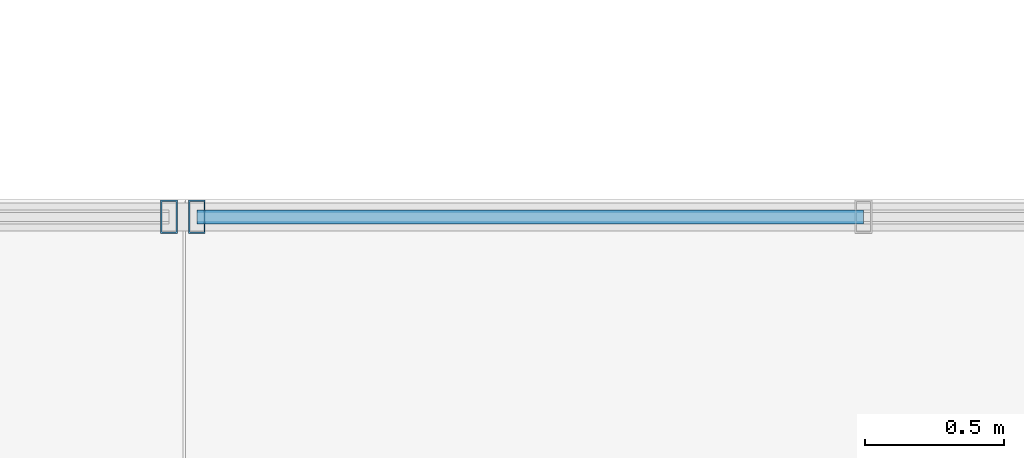
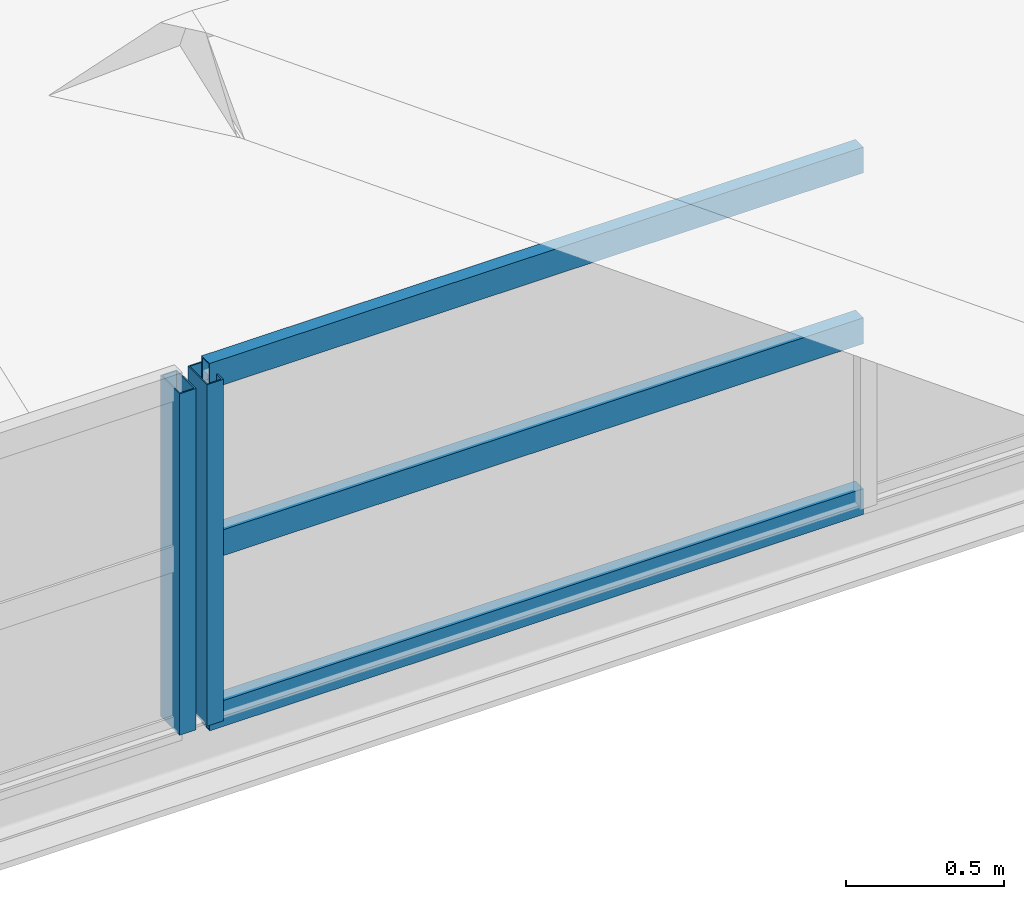
# One storey, part 86 of 141: 5 members, 2 elements without a shape of their own.
"""IFC4 building model written with IfcOpenShell, lengths in metres."""

from ifc_helpers import new_model, si_unit, direction, frame, origin, origin_2d, place, context, subcontext, project, spatial, hollow_rectangle, extrude, material, material_profile, profile_set, type_object, element, aggregate, save


model = new_model("IFC4")

# Units and contexts
model_context = context("Model", 3, precision=1e-05, world=origin(), true_north=direction((0.0, 1.0)))
body_context = subcontext(model_context, "Body", "Model", "MODEL_VIEW")
ifc_project = project(units=[si_unit("LENGTHUNIT", "METRE"), si_unit("AREAUNIT", "SQUARE_METRE"), si_unit("VOLUMEUNIT", "CUBIC_METRE"), si_unit("PLANEANGLEUNIT", "RADIAN"), si_unit("MASSUNIT", "GRAM", prefix="KILO")], contexts=[model_context])

# Site, building, storey
site_placement = place(None, origin())
site = spatial("IfcSite", under=ifc_project, at=site_placement, CompositionType="ELEMENT")
building_placement = place(site_placement, origin())
building = spatial("IfcBuilding", under=site, at=building_placement, Name="Sundkrona Museum", CompositionType="ELEMENT")
storey_placement = place(building_placement, frame((0.0, 0.0, 34.0)))
storey = spatial("IfcBuildingStorey", under=building, at=storey_placement, Name="RF", CompositionType="ELEMENT", Elevation=34.0)

# Curtain wall, member
ifc_material_1 = material(Name="Unitised Aluminium-Steel and Ceramic-Clad Curtain Walling", Category="steel")
curtain_wall_type = type_object("IfcCurtainWallType", Name="CW-SW-240x13", PredefinedType="NOTDEFINED", material=ifc_material_1)
curtain_wall_1_placement = place(storey_placement, origin())
curtain_wall_1 = element("IfcCurtainWall", 1, at=curtain_wall_1_placement, inside=storey, type_object=curtain_wall_type, Name="Sawtooth Bay 5 West North-Light Clerestory", PredefinedType="NOTDEFINED")
ifc_material_2 = material(Name="Aluminium EN AW-6060 T66", Category="aluminium")
ifc_material_profile_1 = material_profile(ifc_material_2, hollow_rectangle(XDim=0.06005859375, YDim=0.1201171875, WallThickness=0.0048828125, at=origin_2d()), Name="RHS 120x60x5.0")
ifc_profile_set_1 = profile_set([ifc_material_profile_1], Name="Aluminium EN AW-6060 T66")
member_type_1 = type_object("IfcMemberType", Name="ML-120", PredefinedType="MULLION", material=ifc_profile_set_1)
member_1_placement = place(storey_placement, frame((143.949951171875, 34.60009765625, 3.89306640625), z_axis=(0.0, 0.0, 1.0), x_axis=(1.0, 0.0, 0.0)))
member_1 = element("IfcMember", 2, at=member_1_placement, type_object=member_type_1, Name="CW-RF-SAW-05W Mullion 11", PredefinedType="MULLION", context=body_context, shape_type="SweptSolid", body=[
    extrude(hollow_rectangle(XDim=0.06005859375, YDim=0.1201171875, WallThickness=0.0048828125, at=origin_2d()), origin(), (0.0, 0.0, 1.0), 1.31982421875),
])
aggregate(curtain_wall_1, [member_1])

# Curtain wall, members
curtain_wall_2_placement = place(storey_placement, origin())
curtain_wall_2 = element("IfcCurtainWall", 3, at=curtain_wall_2_placement, inside=storey, type_object=curtain_wall_type, Name="Sawtooth Bay 5 East North-Light Clerestory", PredefinedType="NOTDEFINED")
member_2_placement = place(storey_placement, frame((144.050048828125, 34.60009765625, 3.89306640625), z_axis=(0.0, 0.0, 1.0), x_axis=(1.0, 0.0, 0.0)))
member_2 = element("IfcMember", 4, at=member_2_placement, type_object=member_type_1, Name="CW-RF-SAW-05E Mullion 01", PredefinedType="MULLION", context=body_context, shape_type="SweptSolid", body=[
    extrude(hollow_rectangle(XDim=0.06005859375, YDim=0.1201171875, WallThickness=0.0048828125, at=origin_2d()), origin(), (0.0, 0.0, 1.0), 1.31982421875),
])
ifc_material_profile_2 = material_profile(ifc_material_2, hollow_rectangle(XDim=0.050048828125, YDim=0.10009765625, WallThickness=0.0048828125, at=origin_2d()), Name="RHS 100x50x5.0")
ifc_profile_set_2 = profile_set([ifc_material_profile_2], Name="Aluminium EN AW-6060 T66")
member_type_2 = type_object("IfcMemberType", Name="TR-100", PredefinedType="USERDEFINED", material=ifc_profile_set_2)
member_3_placement = place(storey_placement, frame((144.050048828125, 34.60009765625, 3.89306640625), z_axis=(1.0, 0.0, 0.0), x_axis=(0.0, 1.0, 0.0)))
member_3 = element("IfcMember", 5, at=member_3_placement, type_object=member_type_2, Name="CW-RF-SAW-05E Transom 01", ObjectType="TRANSOM", PredefinedType="USERDEFINED", context=body_context, shape_type="SweptSolid", body=[
    extrude(hollow_rectangle(XDim=0.050048828125, YDim=0.10009765625, WallThickness=0.0048828125, at=origin_2d()), origin(), (0.0, 0.0, 1.0), 2.389892578125),
])
member_4_placement = place(storey_placement, frame((144.050048828125, 34.60009765625, 4.552978515625), z_axis=(1.0, 0.0, 0.0), x_axis=(0.0, 1.0, 0.0)))
member_4 = element("IfcMember", 6, at=member_4_placement, type_object=member_type_2, Name="CW-RF-SAW-05E Transom 02", ObjectType="TRANSOM", PredefinedType="USERDEFINED", context=body_context, shape_type="SweptSolid", body=[
    extrude(hollow_rectangle(XDim=0.050048828125, YDim=0.10009765625, WallThickness=0.0048828125, at=origin_2d()), origin(), (0.0, 0.0, 1.0), 2.389892578125),
])
member_5_placement = place(storey_placement, frame((144.050048828125, 34.60009765625, 5.212890625), z_axis=(1.0, 0.0, 0.0), x_axis=(0.0, 1.0, 0.0)))
member_5 = element("IfcMember", 7, at=member_5_placement, type_object=member_type_2, Name="CW-RF-SAW-05E Transom 03", ObjectType="TRANSOM", PredefinedType="USERDEFINED", context=body_context, shape_type="SweptSolid", body=[
    extrude(hollow_rectangle(XDim=0.050048828125, YDim=0.10009765625, WallThickness=0.0048828125, at=origin_2d()), origin(), (0.0, 0.0, 1.0), 2.389892578125),
])
aggregate(curtain_wall_2, [member_2, member_3, member_4, member_5])

save(model, "model.ifc")
